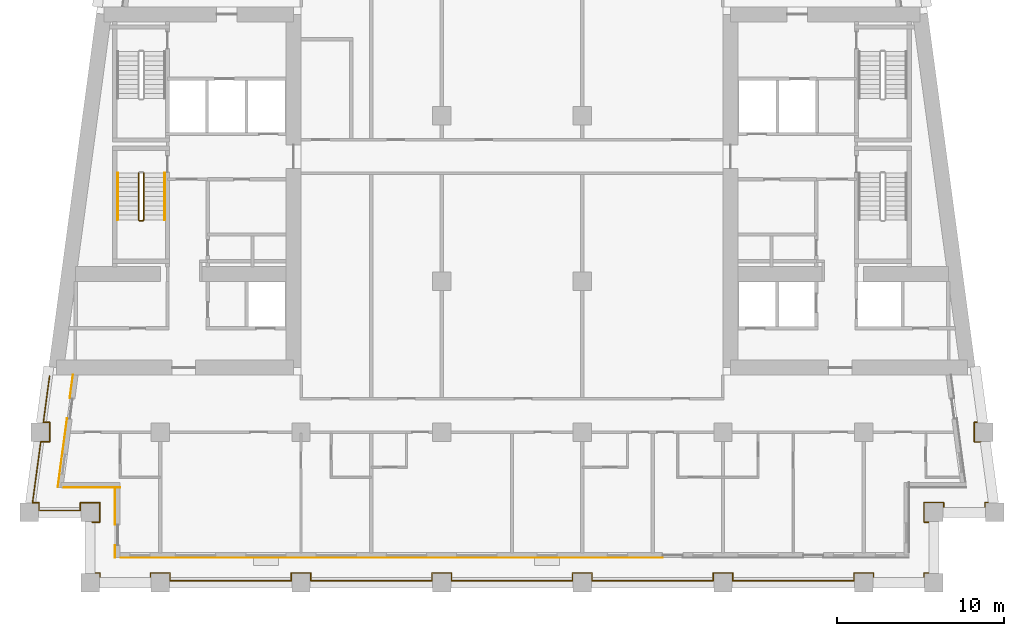
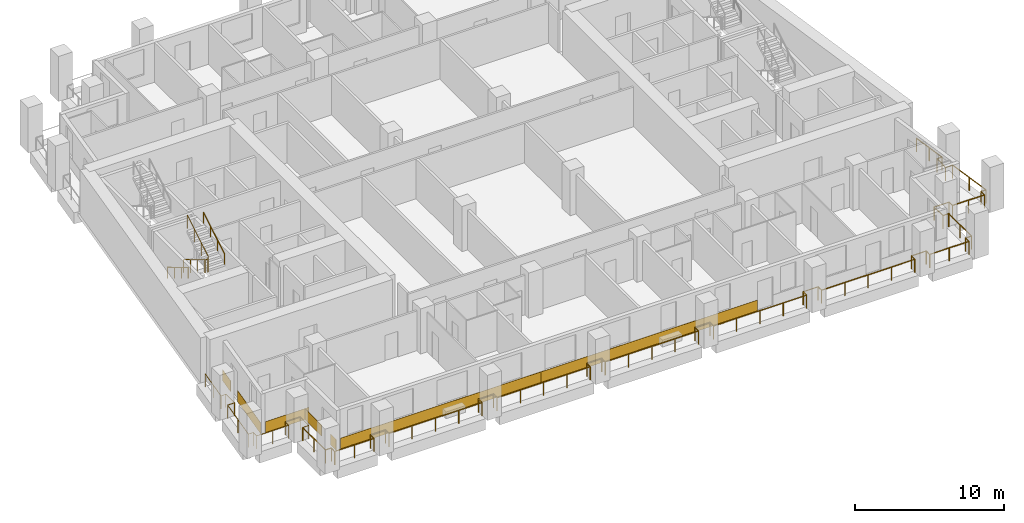
# One storey, part 9 of 13: 7 coverings, 5 railings.
"""IFC4 building model written with IfcOpenShell, lengths in metres."""

from ifc_helpers import new_model, si_unit, direction, frame, origin, origin_2d, place, context, subcontext, project, spatial, rectangle, circle, extrude, material, layer, layer_set, type_object, element, save


model = new_model("IFC4")

# Units and contexts
model_context = context("Model", 3, precision=1e-05, world=origin(), true_north=direction((0.0, 1.0)))
body_context = subcontext(model_context, "Body", "Model", "MODEL_VIEW")
ifc_project = project(units=[si_unit("LENGTHUNIT", "METRE"), si_unit("AREAUNIT", "SQUARE_METRE"), si_unit("VOLUMEUNIT", "CUBIC_METRE"), si_unit("PLANEANGLEUNIT", "RADIAN"), si_unit("MASSUNIT", "GRAM", prefix="KILO")], contexts=[model_context])

# Site, building, storey
site_placement = place(None, origin())
site = spatial("IfcSite", under=ifc_project, at=site_placement, CompositionType="ELEMENT")
building_placement = place(site_placement, origin())
building = spatial("IfcBuilding", under=site, at=building_placement, Name="Candeia Pilgrim Tower and Theatre", CompositionType="ELEMENT")
storey_placement = place(building_placement, frame((0.0, 0.0, 188.5)))
storey = spatial("IfcBuildingStorey", under=building, at=storey_placement, Name="L45", CompositionType="ELEMENT", Elevation=188.5)

# Railings
ifc_material_1 = material(Name="Stainless steel balustrade", Category="steel")
railing_type_1 = type_object("IfcRailingType", Name="G1 loggia guard 1100", PredefinedType="GUARDRAIL", material=ifc_material_1)
railing_1_placement = place(storey_placement, frame((88.320068359375, 101.6201171875, 0.0)))
element("IfcRailing", 1, at=railing_1_placement, inside=storey, type_object=railing_type_1, Name="Guard L45.1", PredefinedType="GUARDRAIL", context=body_context, shape_type="SweptSolid", body=[
    extrude(circle(Radius=0.02392578125, at=origin_2d()), frame((0.0, 0.0, 1.076171875), z_axis=(1.0, 0.0, 0.0), x_axis=(0.0, 1.0, 0.0)), (0.0, 0.0, 1.0), 0.4599609375),
    extrude(circle(Radius=0.02392578125, at=origin_2d()), frame((0.4599609375, 0.0, 1.076171875), z_axis=(0.0, 1.0, 0.0), x_axis=(-1.0, 0.0, 0.0)), (0.0, 0.0, 1.0), 1.159912109375),
    extrude(circle(Radius=0.02392578125, at=origin_2d()), frame((0.4599609375, 1.159912109375, 1.076171875), z_axis=(-1.0, 0.0, 0.0), x_axis=(0.0, -1.0, 0.0)), (0.0, 0.0, 1.0), 1.159912109375),
    extrude(circle(Radius=0.02392578125, at=origin_2d()), frame((-0.699951171875, 1.159912109375, 1.076171875), z_axis=(0.0, -1.0, 0.0), x_axis=(1.0, 0.0, 0.0)), (0.0, 0.0, 1.0), 0.4599609375),
    extrude(circle(Radius=0.02392578125, at=origin_2d()), frame((-0.699951171875, 0.699951171875, 1.076171875), z_axis=(-1.0, 0.0, 0.0), x_axis=(0.0, -1.0, 0.0)), (0.0, 0.0, 1.0), 2.474853515625),
    extrude(circle(Radius=0.02392578125, at=origin_2d()), frame((-3.1748046875, 0.699951171875, 1.076171875), z_axis=(0.0, 1.0, 0.0), x_axis=(-1.0, 0.0, 0.0)), (0.0, 0.0, 1.0), 0.4599609375),
    extrude(circle(Radius=0.02392578125, at=origin_2d()), frame((-3.1748046875, 1.159912109375, 1.076171875), z_axis=(-1.0, 0.0, 0.0), x_axis=(0.0, -1.0, 0.0)), (0.0, 0.0, 1.0), 0.380615234375),
    extrude(circle(Radius=0.02392578125, at=origin_2d()), frame((-3.555419921875, 1.159912109375, 1.076171875), z_axis=(0.133413267734, 0.9910604926, 0.0), x_axis=(-0.9910604926, 0.133413267734, 0.0)), (0.0, 0.0, 1.0), 3.672607421875),
    extrude(circle(Radius=0.02392578125, at=origin_2d()), frame((-3.0654296875, 4.7998046875, 1.076171875), z_axis=(1.0, 0.0, 0.0), x_axis=(0.0, 1.0, 0.0)), (0.0, 0.0, 1.0), 0.536865234375),
    extrude(circle(Radius=0.02392578125, at=origin_2d()), frame((-2.528564453125, 4.7998046875, 1.076171875), z_axis=(0.0, 1.0, 0.0), x_axis=(-1.0, 0.0, 0.0)), (0.0, 0.0, 1.0), 1.16015625),
    extrude(circle(Radius=0.02392578125, at=origin_2d()), frame((-2.528564453125, 5.9599609375, 1.076171875), z_axis=(-1.0, 0.0, 0.0), x_axis=(0.0, -1.0, 0.0)), (0.0, 0.0, 1.0), 0.380859375),
    extrude(circle(Radius=0.02392578125, at=origin_2d()), frame((-2.909423828125, 5.9599609375, 1.076171875), z_axis=(0.133468107709, 0.99105310868, 0.0), x_axis=(-0.99105310868, 0.133468107709, 0.0)), (0.0, 0.0, 1.0), 2.794921875),
    extrude(circle(Radius=0.02099609375, at=origin_2d()), origin(), (0.0, 0.0, 1.0), 1.052001953125),
    extrude(circle(Radius=0.02099609375, at=origin_2d()), frame((0.4599609375, 0.0, 0.0)), (0.0, 0.0, 1.0), 1.052001953125),
    extrude(circle(Radius=0.02099609375, at=origin_2d()), frame((0.4599609375, 1.159912109375, 0.0)), (0.0, 0.0, 1.0), 1.052001953125),
    extrude(circle(Radius=0.02099609375, at=origin_2d()), frame((-0.699951171875, 1.159912109375, 0.0)), (0.0, 0.0, 1.0), 1.052001953125),
    extrude(circle(Radius=0.02099609375, at=origin_2d()), frame((-0.699951171875, 0.699951171875, 0.0)), (0.0, 0.0, 1.0), 1.052001953125),
    extrude(circle(Radius=0.02099609375, at=origin_2d()), frame((-1.9375, 0.699951171875, 0.0)), (0.0, 0.0, 1.0), 1.052001953125),
    extrude(circle(Radius=0.02099609375, at=origin_2d()), frame((-3.1748046875, 0.699951171875, 0.0)), (0.0, 0.0, 1.0), 1.052001953125),
    extrude(circle(Radius=0.02099609375, at=origin_2d()), frame((-3.1748046875, 1.159912109375, 0.0)), (0.0, 0.0, 1.0), 1.052001953125),
    extrude(circle(Radius=0.02099609375, at=origin_2d()), frame((-3.555419921875, 1.159912109375, 0.0)), (0.0, 0.0, 1.0), 1.052001953125),
    extrude(circle(Radius=0.02099609375, at=origin_2d()), frame((-3.310546875, 2.97998046875, 0.0)), (0.0, 0.0, 1.0), 1.052001953125),
    extrude(circle(Radius=0.02099609375, at=origin_2d()), frame((-3.0654296875, 4.7998046875, 0.0)), (0.0, 0.0, 1.0), 1.052001953125),
    extrude(circle(Radius=0.02099609375, at=origin_2d()), frame((-2.528564453125, 4.7998046875, 0.0)), (0.0, 0.0, 1.0), 1.052001953125),
    extrude(circle(Radius=0.02099609375, at=origin_2d()), frame((-2.528564453125, 5.9599609375, 0.0)), (0.0, 0.0, 1.0), 1.052001953125),
    extrude(circle(Radius=0.02099609375, at=origin_2d()), frame((-2.909423828125, 5.9599609375, 0.0)), (0.0, 0.0, 1.0), 1.052001953125),
    extrude(circle(Radius=0.02099609375, at=origin_2d()), frame((-2.722900390625, 7.344970703125, 0.0)), (0.0, 0.0, 1.0), 1.052001953125),
    extrude(circle(Radius=0.02099609375, at=origin_2d()), frame((-2.536376953125, 8.72998046875, 0.0)), (0.0, 0.0, 1.0), 1.052001953125),
])
railing_2_placement = place(storey_placement, frame((141.016357421875, 110.35009765625, 0.0)))
element("IfcRailing", 2, at=railing_2_placement, inside=storey, type_object=railing_type_1, Name="Guard L45.4", PredefinedType="GUARDRAIL", context=body_context, shape_type="SweptSolid", body=[
    extrude(circle(Radius=0.02392578125, at=origin_2d()), frame((0.0, 0.0, 1.076171875), z_axis=(0.133468107709, -0.99105310868, 0.0), x_axis=(0.99105310868, 0.133468107709, 0.0)), (0.0, 0.0, 1.0), 2.794921875),
    extrude(circle(Radius=0.02392578125, at=origin_2d()), frame((0.373046875, -2.77001953125, 1.076171875), z_axis=(-1.0, 0.0, 0.0), x_axis=(0.0, -1.0, 0.0)), (0.0, 0.0, 1.0), 0.380859375),
    extrude(circle(Radius=0.02392578125, at=origin_2d()), frame((-0.0078125, -2.77001953125, 1.076171875), z_axis=(0.0, -1.0, 0.0), x_axis=(1.0, 0.0, 0.0)), (0.0, 0.0, 1.0), 1.16015625),
    extrude(circle(Radius=0.02392578125, at=origin_2d()), frame((-0.0078125, -3.93017578125, 1.076171875), z_axis=(1.0, 0.0, 0.0), x_axis=(0.0, 1.0, 0.0)), (0.0, 0.0, 1.0), 0.536865234375),
    extrude(circle(Radius=0.02392578125, at=origin_2d()), frame((0.529052734375, -3.93017578125, 1.076171875), z_axis=(0.133413267734, -0.9910604926, 0.0), x_axis=(0.9910604926, 0.133413267734, 0.0)), (0.0, 0.0, 1.0), 3.672607421875),
    extrude(circle(Radius=0.02392578125, at=origin_2d()), frame((1.01904296875, -7.570068359375, 1.076171875), z_axis=(-1.0, 0.0, 0.0), x_axis=(0.0, -1.0, 0.0)), (0.0, 0.0, 1.0), 0.380859375),
    extrude(circle(Radius=0.02392578125, at=origin_2d()), frame((0.63818359375, -7.570068359375, 1.076171875), z_axis=(0.0, -1.0, 0.0), x_axis=(1.0, 0.0, 0.0)), (0.0, 0.0, 1.0), 0.4599609375),
    extrude(circle(Radius=0.02392578125, at=origin_2d()), frame((0.63818359375, -8.030029296875, 1.076171875), z_axis=(-1.0, 0.0, 0.0), x_axis=(0.0, -1.0, 0.0)), (0.0, 0.0, 1.0), 2.474609375),
    extrude(circle(Radius=0.02392578125, at=origin_2d()), frame((-1.83642578125, -8.030029296875, 1.076171875), z_axis=(0.0, 1.0, 0.0), x_axis=(-1.0, 0.0, 0.0)), (0.0, 0.0, 1.0), 0.4599609375),
    extrude(circle(Radius=0.02392578125, at=origin_2d()), frame((-1.83642578125, -7.570068359375, 1.076171875), z_axis=(-1.0, 0.0, 0.0), x_axis=(0.0, -1.0, 0.0)), (0.0, 0.0, 1.0), 1.159912109375),
    extrude(circle(Radius=0.02392578125, at=origin_2d()), frame((-2.996337890625, -7.570068359375, 1.076171875), z_axis=(0.0, -1.0, 0.0), x_axis=(1.0, 0.0, 0.0)), (0.0, 0.0, 1.0), 1.159912109375),
    extrude(circle(Radius=0.02392578125, at=origin_2d()), frame((-2.996337890625, -8.72998046875, 1.076171875), z_axis=(1.0, 0.0, 0.0), x_axis=(0.0, 1.0, 0.0)), (0.0, 0.0, 1.0), 0.4599609375),
    extrude(circle(Radius=0.02392578125, at=origin_2d()), frame((-2.536376953125, -8.72998046875, 1.076171875), z_axis=(0.0, -1.0, 0.0), x_axis=(1.0, 0.0, 0.0)), (0.0, 0.0, 1.0), 3.0400390625),
    extrude(circle(Radius=0.02392578125, at=origin_2d()), frame((-2.536376953125, -11.77001953125, 1.076171875), z_axis=(-1.0, 0.0, 0.0), x_axis=(0.0, -1.0, 0.0)), (0.0, 0.0, 1.0), 0.4599609375),
    extrude(circle(Radius=0.02392578125, at=origin_2d()), frame((-2.996337890625, -11.77001953125, 1.076171875), z_axis=(0.0, -1.0, 0.0), x_axis=(1.0, 0.0, 0.0)), (0.0, 0.0, 1.0), 0.4599609375),
    extrude(circle(Radius=0.02392578125, at=origin_2d()), frame((-2.996337890625, -12.22998046875, 1.076171875), z_axis=(-1.0, 0.0, 0.0), x_axis=(0.0, -1.0, 0.0)), (0.0, 0.0, 1.0), 3.0400390625),
    extrude(circle(Radius=0.02392578125, at=origin_2d()), frame((-6.036376953125, -12.22998046875, 1.076171875), z_axis=(0.0, 1.0, 0.0), x_axis=(-1.0, 0.0, 0.0)), (0.0, 0.0, 1.0), 0.4599609375),
    extrude(circle(Radius=0.02392578125, at=origin_2d()), frame((-6.036376953125, -11.77001953125, 1.076171875), z_axis=(-1.0, 0.0, 0.0), x_axis=(0.0, -1.0, 0.0)), (0.0, 0.0, 1.0), 1.159912109375),
    extrude(circle(Radius=0.02392578125, at=origin_2d()), frame((-7.1962890625, -11.77001953125, 1.076171875), z_axis=(0.0, -1.0, 0.0), x_axis=(1.0, 0.0, 0.0)), (0.0, 0.0, 1.0), 0.4599609375),
    extrude(circle(Radius=0.02392578125, at=origin_2d()), frame((-7.1962890625, -12.22998046875, 1.076171875), z_axis=(-1.0, 0.0, 0.0), x_axis=(0.0, -1.0, 0.0)), (0.0, 0.0, 1.0), 7.239990234375),
    extrude(circle(Radius=0.02392578125, at=origin_2d()), frame((-14.436279296875, -12.22998046875, 1.076171875), z_axis=(0.0, 1.0, 0.0), x_axis=(-1.0, 0.0, 0.0)), (0.0, 0.0, 1.0), 0.4599609375),
    extrude(circle(Radius=0.02392578125, at=origin_2d()), frame((-14.436279296875, -11.77001953125, 1.076171875), z_axis=(-1.0, 0.0, 0.0), x_axis=(0.0, -1.0, 0.0)), (0.0, 0.0, 1.0), 1.16015625),
    extrude(circle(Radius=0.02392578125, at=origin_2d()), frame((-15.596435546875, -11.77001953125, 1.076171875), z_axis=(0.0, -1.0, 0.0), x_axis=(1.0, 0.0, 0.0)), (0.0, 0.0, 1.0), 0.4599609375),
    extrude(circle(Radius=0.02392578125, at=origin_2d()), frame((-15.596435546875, -12.22998046875, 1.076171875), z_axis=(-1.0, 0.0, 0.0), x_axis=(0.0, -1.0, 0.0)), (0.0, 0.0, 1.0), 7.239990234375),
    extrude(circle(Radius=0.02392578125, at=origin_2d()), frame((-22.83642578125, -12.22998046875, 1.076171875), z_axis=(0.0, 1.0, 0.0), x_axis=(-1.0, 0.0, 0.0)), (0.0, 0.0, 1.0), 0.4599609375),
    extrude(circle(Radius=0.02392578125, at=origin_2d()), frame((-22.83642578125, -11.77001953125, 1.076171875), z_axis=(-1.0, 0.0, 0.0), x_axis=(0.0, -1.0, 0.0)), (0.0, 0.0, 1.0), 1.159912109375),
    extrude(circle(Radius=0.02392578125, at=origin_2d()), frame((-23.996337890625, -11.77001953125, 1.076171875), z_axis=(0.0, -1.0, 0.0), x_axis=(1.0, 0.0, 0.0)), (0.0, 0.0, 1.0), 0.4599609375),
    extrude(circle(Radius=0.02392578125, at=origin_2d()), frame((-23.996337890625, -12.22998046875, 1.076171875), z_axis=(-1.0, 0.0, 0.0), x_axis=(0.0, -1.0, 0.0)), (0.0, 0.0, 1.0), 7.239990234375),
    extrude(circle(Radius=0.02392578125, at=origin_2d()), frame((-31.236328125, -12.22998046875, 1.076171875), z_axis=(0.0, 1.0, 0.0), x_axis=(-1.0, 0.0, 0.0)), (0.0, 0.0, 1.0), 0.4599609375),
    extrude(circle(Radius=0.02392578125, at=origin_2d()), frame((-31.236328125, -11.77001953125, 1.076171875), z_axis=(-1.0, 0.0, 0.0), x_axis=(0.0, -1.0, 0.0)), (0.0, 0.0, 1.0), 1.159912109375),
    extrude(circle(Radius=0.02392578125, at=origin_2d()), frame((-32.396240234375, -11.77001953125, 1.076171875), z_axis=(0.0, -1.0, 0.0), x_axis=(1.0, 0.0, 0.0)), (0.0, 0.0, 1.0), 0.4599609375),
    extrude(circle(Radius=0.02392578125, at=origin_2d()), frame((-32.396240234375, -12.22998046875, 1.076171875), z_axis=(-1.0, 0.0, 0.0), x_axis=(0.0, -1.0, 0.0)), (0.0, 0.0, 1.0), 7.240234375),
    extrude(circle(Radius=0.02392578125, at=origin_2d()), frame((-39.636474609375, -12.22998046875, 1.076171875), z_axis=(0.0, 1.0, 0.0), x_axis=(-1.0, 0.0, 0.0)), (0.0, 0.0, 1.0), 0.4599609375),
    extrude(circle(Radius=0.02392578125, at=origin_2d()), frame((-39.636474609375, -11.77001953125, 1.076171875), z_axis=(-1.0, 0.0, 0.0), x_axis=(0.0, -1.0, 0.0)), (0.0, 0.0, 1.0), 1.159912109375),
    extrude(circle(Radius=0.02392578125, at=origin_2d()), frame((-40.79638671875, -11.77001953125, 1.076171875), z_axis=(0.0, -1.0, 0.0), x_axis=(1.0, 0.0, 0.0)), (0.0, 0.0, 1.0), 0.4599609375),
    extrude(circle(Radius=0.02392578125, at=origin_2d()), frame((-40.79638671875, -12.22998046875, 1.076171875), z_axis=(-1.0, 0.0, 0.0), x_axis=(0.0, -1.0, 0.0)), (0.0, 0.0, 1.0), 7.239990234375),
    extrude(circle(Radius=0.02392578125, at=origin_2d()), frame((-48.036376953125, -12.22998046875, 1.076171875), z_axis=(0.0, 1.0, 0.0), x_axis=(-1.0, 0.0, 0.0)), (0.0, 0.0, 1.0), 0.4599609375),
    extrude(circle(Radius=0.02392578125, at=origin_2d()), frame((-48.036376953125, -11.77001953125, 1.076171875), z_axis=(-1.0, 0.0, 0.0), x_axis=(0.0, -1.0, 0.0)), (0.0, 0.0, 1.0), 1.159912109375),
    extrude(circle(Radius=0.02392578125, at=origin_2d()), frame((-49.1962890625, -11.77001953125, 1.076171875), z_axis=(0.0, -1.0, 0.0), x_axis=(1.0, 0.0, 0.0)), (0.0, 0.0, 1.0), 0.4599609375),
    extrude(circle(Radius=0.02392578125, at=origin_2d()), frame((-49.1962890625, -12.22998046875, 1.076171875), z_axis=(-1.0, 0.0, 0.0), x_axis=(0.0, -1.0, 0.0)), (0.0, 0.0, 1.0), 3.0400390625),
    extrude(circle(Radius=0.02392578125, at=origin_2d()), frame((-52.236328125, -12.22998046875, 1.076171875), z_axis=(0.0, 1.0, 0.0), x_axis=(-1.0, 0.0, 0.0)), (0.0, 0.0, 1.0), 0.4599609375),
    extrude(circle(Radius=0.02392578125, at=origin_2d()), frame((-52.236328125, -11.77001953125, 1.076171875), z_axis=(-1.0, 0.0, 0.0), x_axis=(0.0, -1.0, 0.0)), (0.0, 0.0, 1.0), 0.4599609375),
    extrude(circle(Radius=0.02392578125, at=origin_2d()), frame((-52.6962890625, -11.77001953125, 1.076171875), z_axis=(0.0, 1.0, 0.0), x_axis=(-1.0, 0.0, 0.0)), (0.0, 0.0, 1.0), 3.0400390625),
    extrude(circle(Radius=0.02099609375, at=origin_2d()), origin(), (0.0, 0.0, 1.0), 1.052001953125),
    extrude(circle(Radius=0.02099609375, at=origin_2d()), frame((0.1865234375, -1.385009765625, 0.0)), (0.0, 0.0, 1.0), 1.052001953125),
    extrude(circle(Radius=0.02099609375, at=origin_2d()), frame((0.373046875, -2.77001953125, 0.0)), (0.0, 0.0, 1.0), 1.052001953125),
    extrude(circle(Radius=0.02099609375, at=origin_2d()), frame((-0.0078125, -2.77001953125, 0.0)), (0.0, 0.0, 1.0), 1.052001953125),
    extrude(circle(Radius=0.02099609375, at=origin_2d()), frame((-0.0078125, -3.93017578125, 0.0)), (0.0, 0.0, 1.0), 1.052001953125),
    extrude(circle(Radius=0.02099609375, at=origin_2d()), frame((0.529052734375, -3.93017578125, 0.0)), (0.0, 0.0, 1.0), 1.052001953125),
    extrude(circle(Radius=0.02099609375, at=origin_2d()), frame((0.77392578125, -5.75, 0.0)), (0.0, 0.0, 1.0), 1.052001953125),
    extrude(circle(Radius=0.02099609375, at=origin_2d()), frame((1.01904296875, -7.570068359375, 0.0)), (0.0, 0.0, 1.0), 1.052001953125),
    extrude(circle(Radius=0.02099609375, at=origin_2d()), frame((0.63818359375, -7.570068359375, 0.0)), (0.0, 0.0, 1.0), 1.052001953125),
    extrude(circle(Radius=0.02099609375, at=origin_2d()), frame((0.63818359375, -8.030029296875, 0.0)), (0.0, 0.0, 1.0), 1.052001953125),
    extrude(circle(Radius=0.02099609375, at=origin_2d()), frame((-0.59912109375, -8.030029296875, 0.0)), (0.0, 0.0, 1.0), 1.052001953125),
    extrude(circle(Radius=0.02099609375, at=origin_2d()), frame((-1.83642578125, -8.030029296875, 0.0)), (0.0, 0.0, 1.0), 1.052001953125),
    extrude(circle(Radius=0.02099609375, at=origin_2d()), frame((-1.83642578125, -7.570068359375, 0.0)), (0.0, 0.0, 1.0), 1.052001953125),
    extrude(circle(Radius=0.02099609375, at=origin_2d()), frame((-2.996337890625, -7.570068359375, 0.0)), (0.0, 0.0, 1.0), 1.052001953125),
    extrude(circle(Radius=0.02099609375, at=origin_2d()), frame((-2.996337890625, -8.72998046875, 0.0)), (0.0, 0.0, 1.0), 1.052001953125),
    extrude(circle(Radius=0.02099609375, at=origin_2d()), frame((-2.536376953125, -8.72998046875, 0.0)), (0.0, 0.0, 1.0), 1.052001953125),
    extrude(circle(Radius=0.02099609375, at=origin_2d()), frame((-2.536376953125, -10.25, 0.0)), (0.0, 0.0, 1.0), 1.052001953125),
    extrude(circle(Radius=0.02099609375, at=origin_2d()), frame((-2.536376953125, -11.77001953125, 0.0)), (0.0, 0.0, 1.0), 1.052001953125),
    extrude(circle(Radius=0.02099609375, at=origin_2d()), frame((-2.996337890625, -11.77001953125, 0.0)), (0.0, 0.0, 1.0), 1.052001953125),
    extrude(circle(Radius=0.02099609375, at=origin_2d()), frame((-2.996337890625, -12.22998046875, 0.0)), (0.0, 0.0, 1.0), 1.052001953125),
    extrude(circle(Radius=0.02099609375, at=origin_2d()), frame((-4.516357421875, -12.22998046875, 0.0)), (0.0, 0.0, 1.0), 1.052001953125),
    extrude(circle(Radius=0.02099609375, at=origin_2d()), frame((-6.036376953125, -12.22998046875, 0.0)), (0.0, 0.0, 1.0), 1.052001953125),
    extrude(circle(Radius=0.02099609375, at=origin_2d()), frame((-6.036376953125, -11.77001953125, 0.0)), (0.0, 0.0, 1.0), 1.052001953125),
    extrude(circle(Radius=0.02099609375, at=origin_2d()), frame((-7.1962890625, -11.77001953125, 0.0)), (0.0, 0.0, 1.0), 1.052001953125),
    extrude(circle(Radius=0.02099609375, at=origin_2d()), frame((-7.1962890625, -12.22998046875, 0.0)), (0.0, 0.0, 1.0), 1.052001953125),
    extrude(circle(Radius=0.02099609375, at=origin_2d()), frame((-9.00634765625, -12.22998046875, 0.0)), (0.0, 0.0, 1.0), 1.052001953125),
    extrude(circle(Radius=0.02099609375, at=origin_2d()), frame((-10.81640625, -12.22998046875, 0.0)), (0.0, 0.0, 1.0), 1.052001953125),
    extrude(circle(Radius=0.02099609375, at=origin_2d()), frame((-12.626220703125, -12.22998046875, 0.0)), (0.0, 0.0, 1.0), 1.052001953125),
    extrude(circle(Radius=0.02099609375, at=origin_2d()), frame((-14.436279296875, -12.22998046875, 0.0)), (0.0, 0.0, 1.0), 1.052001953125),
    extrude(circle(Radius=0.02099609375, at=origin_2d()), frame((-14.436279296875, -11.77001953125, 0.0)), (0.0, 0.0, 1.0), 1.052001953125),
    extrude(circle(Radius=0.02099609375, at=origin_2d()), frame((-15.596435546875, -11.77001953125, 0.0)), (0.0, 0.0, 1.0), 1.052001953125),
    extrude(circle(Radius=0.02099609375, at=origin_2d()), frame((-15.596435546875, -12.22998046875, 0.0)), (0.0, 0.0, 1.0), 1.052001953125),
    extrude(circle(Radius=0.02099609375, at=origin_2d()), frame((-17.406494140625, -12.22998046875, 0.0)), (0.0, 0.0, 1.0), 1.052001953125),
    extrude(circle(Radius=0.02099609375, at=origin_2d()), frame((-19.21630859375, -12.22998046875, 0.0)), (0.0, 0.0, 1.0), 1.052001953125),
    extrude(circle(Radius=0.02099609375, at=origin_2d()), frame((-21.0263671875, -12.22998046875, 0.0)), (0.0, 0.0, 1.0), 1.052001953125),
    extrude(circle(Radius=0.02099609375, at=origin_2d()), frame((-22.83642578125, -12.22998046875, 0.0)), (0.0, 0.0, 1.0), 1.052001953125),
    extrude(circle(Radius=0.02099609375, at=origin_2d()), frame((-22.83642578125, -11.77001953125, 0.0)), (0.0, 0.0, 1.0), 1.052001953125),
    extrude(circle(Radius=0.02099609375, at=origin_2d()), frame((-23.996337890625, -11.77001953125, 0.0)), (0.0, 0.0, 1.0), 1.052001953125),
    extrude(circle(Radius=0.02099609375, at=origin_2d()), frame((-23.996337890625, -12.22998046875, 0.0)), (0.0, 0.0, 1.0), 1.052001953125),
    extrude(circle(Radius=0.02099609375, at=origin_2d()), frame((-25.806396484375, -12.22998046875, 0.0)), (0.0, 0.0, 1.0), 1.052001953125),
    extrude(circle(Radius=0.02099609375, at=origin_2d()), frame((-27.6162109375, -12.22998046875, 0.0)), (0.0, 0.0, 1.0), 1.052001953125),
    extrude(circle(Radius=0.02099609375, at=origin_2d()), frame((-29.42626953125, -12.22998046875, 0.0)), (0.0, 0.0, 1.0), 1.052001953125),
    extrude(circle(Radius=0.02099609375, at=origin_2d()), frame((-31.236328125, -12.22998046875, 0.0)), (0.0, 0.0, 1.0), 1.052001953125),
    extrude(circle(Radius=0.02099609375, at=origin_2d()), frame((-31.236328125, -11.77001953125, 0.0)), (0.0, 0.0, 1.0), 1.052001953125),
    extrude(circle(Radius=0.02099609375, at=origin_2d()), frame((-32.396240234375, -11.77001953125, 0.0)), (0.0, 0.0, 1.0), 1.052001953125),
    extrude(circle(Radius=0.02099609375, at=origin_2d()), frame((-32.396240234375, -12.22998046875, 0.0)), (0.0, 0.0, 1.0), 1.052001953125),
    extrude(circle(Radius=0.02099609375, at=origin_2d()), frame((-34.206298828125, -12.22998046875, 0.0)), (0.0, 0.0, 1.0), 1.052001953125),
    extrude(circle(Radius=0.02099609375, at=origin_2d()), frame((-36.016357421875, -12.22998046875, 0.0)), (0.0, 0.0, 1.0), 1.052001953125),
    extrude(circle(Radius=0.02099609375, at=origin_2d()), frame((-37.826416015625, -12.22998046875, 0.0)), (0.0, 0.0, 1.0), 1.052001953125),
    extrude(circle(Radius=0.02099609375, at=origin_2d()), frame((-39.636474609375, -12.22998046875, 0.0)), (0.0, 0.0, 1.0), 1.052001953125),
    extrude(circle(Radius=0.02099609375, at=origin_2d()), frame((-39.636474609375, -11.77001953125, 0.0)), (0.0, 0.0, 1.0), 1.052001953125),
    extrude(circle(Radius=0.02099609375, at=origin_2d()), frame((-40.79638671875, -11.77001953125, 0.0)), (0.0, 0.0, 1.0), 1.052001953125),
    extrude(circle(Radius=0.02099609375, at=origin_2d()), frame((-40.79638671875, -12.22998046875, 0.0)), (0.0, 0.0, 1.0), 1.052001953125),
    extrude(circle(Radius=0.02099609375, at=origin_2d()), frame((-42.6064453125, -12.22998046875, 0.0)), (0.0, 0.0, 1.0), 1.052001953125),
    extrude(circle(Radius=0.02099609375, at=origin_2d()), frame((-44.41650390625, -12.22998046875, 0.0)), (0.0, 0.0, 1.0), 1.052001953125),
    extrude(circle(Radius=0.02099609375, at=origin_2d()), frame((-46.226318359375, -12.22998046875, 0.0)), (0.0, 0.0, 1.0), 1.052001953125),
    extrude(circle(Radius=0.02099609375, at=origin_2d()), frame((-48.036376953125, -12.22998046875, 0.0)), (0.0, 0.0, 1.0), 1.052001953125),
    extrude(circle(Radius=0.02099609375, at=origin_2d()), frame((-48.036376953125, -11.77001953125, 0.0)), (0.0, 0.0, 1.0), 1.052001953125),
    extrude(circle(Radius=0.02099609375, at=origin_2d()), frame((-49.1962890625, -11.77001953125, 0.0)), (0.0, 0.0, 1.0), 1.052001953125),
    extrude(circle(Radius=0.02099609375, at=origin_2d()), frame((-49.1962890625, -12.22998046875, 0.0)), (0.0, 0.0, 1.0), 1.052001953125),
    extrude(circle(Radius=0.02099609375, at=origin_2d()), frame((-50.71630859375, -12.22998046875, 0.0)), (0.0, 0.0, 1.0), 1.052001953125),
    extrude(circle(Radius=0.02099609375, at=origin_2d()), frame((-52.236328125, -12.22998046875, 0.0)), (0.0, 0.0, 1.0), 1.052001953125),
    extrude(circle(Radius=0.02099609375, at=origin_2d()), frame((-52.236328125, -11.77001953125, 0.0)), (0.0, 0.0, 1.0), 1.052001953125),
    extrude(circle(Radius=0.02099609375, at=origin_2d()), frame((-52.6962890625, -11.77001953125, 0.0)), (0.0, 0.0, 1.0), 1.052001953125),
    extrude(circle(Radius=0.02099609375, at=origin_2d()), frame((-52.6962890625, -10.25, 0.0)), (0.0, 0.0, 1.0), 1.052001953125),
    extrude(circle(Radius=0.02099609375, at=origin_2d()), frame((-52.6962890625, -8.72998046875, 0.0)), (0.0, 0.0, 1.0), 1.052001953125),
])

# Coverings
ifc_material_2 = material(Name="Glazed ceramic tile red")
ifc_layer_1 = layer(ifc_material_2, 0.02001953125)
ifc_layer_set_1 = layer_set([ifc_layer_1], Name="Glazed ceramic tile red")
covering_type_1 = type_object("IfcCoveringType", Name="Glazed ceramic tile red", PredefinedType="CLADDING", material=ifc_layer_set_1)
covering_1_placement = place(storey_placement, frame((114.0, 99.489990234375, 0.0), z_axis=(0.0, 0.0, 1.0), x_axis=(1.0, 0.0, 0.0)))
element("IfcCovering", 3, at=covering_1_placement, inside=storey, type_object=covering_type_1, Name="Tile cladding red L45", PredefinedType="CLADDING", context=body_context, shape_type="SweptSolid", body=[
    extrude(rectangle(XDim=16.800048828125, YDim=0.02001953125, at=origin_2d()), origin(), (0.0, 0.0, 1.0), 0.89990234375),
])
ifc_material_3 = material(Name="Glazed ceramic tile rust")
ifc_layer_2 = layer(ifc_material_3, 0.02001953125)
ifc_layer_set_2 = layer_set([ifc_layer_2], Name="Glazed ceramic tile rust")
covering_type_2 = type_object("IfcCoveringType", Name="Glazed ceramic tile rust", PredefinedType="CLADDING", material=ifc_layer_set_2)
covering_2_placement = place(storey_placement, frame((97.81005859375, 99.489990234375, 0.0), z_axis=(0.0, 0.0, 1.0), x_axis=(1.0, 0.0, 0.0)))
element("IfcCovering", 4, at=covering_2_placement, inside=storey, type_object=covering_type_2, Name="Tile cladding rust L45", PredefinedType="CLADDING", context=body_context, shape_type="SweptSolid", body=[
    extrude(rectangle(XDim=15.580078125, YDim=0.02001953125, at=origin_2d()), origin(), (0.0, 0.0, 1.0), 0.89990234375),
])
covering_3_placement = place(storey_placement, frame((87.0810546875, 109.71875, 0.0), z_axis=(0.0, 0.0, 1.0), x_axis=(-0.133412012145, -0.991060661622, 0.0)))
element("IfcCovering", 5, at=covering_3_placement, inside=storey, type_object=covering_type_2, Name="Tile cladding rust L45", PredefinedType="CLADDING", context=body_context, shape_type="SweptSolid", body=[
    extrude(rectangle(XDim=1.41796875, YDim=0.02001953125, at=origin_2d()), origin(), (0.0, 0.0, 1.0), 0.89990234375),
])
covering_4_placement = place(storey_placement, frame((86.548583984375, 105.763916015625, 0.0), z_axis=(0.0, 0.0, 1.0), x_axis=(-0.133412012145, -0.991060661622, 0.0)))
element("IfcCovering", 6, at=covering_4_placement, inside=storey, type_object=covering_type_2, Name="Tile cladding rust L45", PredefinedType="CLADDING", context=body_context, shape_type="SweptSolid", body=[
    extrude(rectangle(XDim=4.16259765625, YDim=0.02001953125, at=origin_2d()), origin(), (0.0, 0.0, 1.0), 0.89990234375),
])
covering_5_placement = place(storey_placement, frame((88.311279296875, 103.68994140625, 0.0), z_axis=(0.0, 0.0, 1.0), x_axis=(1.0, 0.0, 0.0)))
element("IfcCovering", 7, at=covering_5_placement, inside=storey, type_object=covering_type_2, Name="Tile cladding rust L45", PredefinedType="CLADDING", context=body_context, shape_type="SweptSolid", body=[
    extrude(rectangle(XDim=3.377685546875, YDim=0.02001953125, at=origin_2d()), origin(), (0.0, 0.0, 1.0), 0.89990234375),
])
covering_6_placement = place(storey_placement, frame((89.68994140625, 102.56494140625, 0.0), z_axis=(0.0, 0.0, 1.0), x_axis=(0.0, -1.0, 0.0)))
element("IfcCovering", 8, at=covering_6_placement, inside=storey, type_object=covering_type_2, Name="Tile cladding rust L45", PredefinedType="CLADDING", context=body_context, shape_type="SweptSolid", body=[
    extrude(rectangle(XDim=2.22998046875, YDim=0.02001953125, at=origin_2d()), origin(), (0.0, 0.0, 1.0), 0.89990234375),
])
covering_7_placement = place(storey_placement, frame((89.68994140625, 99.875, 0.0), z_axis=(0.0, 0.0, 1.0), x_axis=(0.0, -1.0, 0.0)))
element("IfcCovering", 9, at=covering_7_placement, inside=storey, type_object=covering_type_2, Name="Tile cladding rust L45", PredefinedType="CLADDING", context=body_context, shape_type="SweptSolid", body=[
    extrude(rectangle(XDim=0.75, YDim=0.02001953125, at=origin_2d()), origin(), (0.0, 0.0, 1.0), 0.89990234375),
])

# Railings
railing_type_2 = type_object("IfcRailingType", Name="RL-GUARD-1100", PredefinedType="GUARDRAIL", material=ifc_material_1)
railing_3_placement = place(storey_placement, frame((91.10205078125, 122.47509765625, 0.168212890625)))
element("IfcRailing", 10, at=railing_3_placement, inside=storey, type_object=railing_type_2, Name="L45 ST1 stair guard 1", PredefinedType="GUARDRAIL", context=body_context, shape_type="SweptSolid", body=[
    extrude(circle(Radius=0.02392578125, at=origin_2d()), frame((0.0, 0.0, 1.076171875), z_axis=(0.0, -0.857242210791, 0.514913383045), x_axis=(1.0, 0.0, 0.0)), (0.0, 0.0, 1.0), 3.266357421875),
    extrude(circle(Radius=0.02392578125, at=origin_2d()), frame((0.0, -2.800048828125, 2.7578125), z_axis=(0.707106781187, -0.707106781187, 0.0), x_axis=(0.707106781187, 0.707106781187, 0.0)), (0.0, 0.0, 1.0), 0.07080078125),
    extrude(circle(Radius=0.02392578125, at=origin_2d()), frame((0.050048828125, -2.85009765625, 2.7578125), z_axis=(1.0, 0.0, 0.0), x_axis=(0.0, 1.0, 0.0)), (0.0, 0.0, 1.0), 0.199951171875),
    extrude(circle(Radius=0.02392578125, at=origin_2d()), frame((0.25, -2.85009765625, 2.7578125), z_axis=(0.274582412415, 0.274582412415, 0.921525364591), x_axis=(-0.707106781187, 0.707106781187, 0.0)), (0.0, 0.0, 1.0), 0.182373046875),
    extrude(circle(Radius=0.02392578125, at=origin_2d()), frame((0.300048828125, -2.800048828125, 2.92578125), z_axis=(0.0, 0.857242210791, 0.514913383045), x_axis=(-1.0, 0.0, 0.0)), (0.0, 0.0, 1.0), 3.266357421875),
    extrude(circle(Radius=0.02099609375, at=origin_2d()), origin(), (0.0, 0.0, 1.0), 1.052001953125),
    extrude(circle(Radius=0.02099609375, at=origin_2d()), frame((0.0, -0.933349609375, 0.560546875)), (0.0, 0.0, 1.0), 1.052001953125),
    extrude(circle(Radius=0.02099609375, at=origin_2d()), frame((0.0, -1.86669921875, 1.121337890625)), (0.0, 0.0, 1.0), 1.052001953125),
    extrude(circle(Radius=0.02099609375, at=origin_2d()), frame((0.0, -2.800048828125, 1.681884765625)), (0.0, 0.0, 1.0), 1.052001953125),
    extrude(circle(Radius=0.02099609375, at=origin_2d()), frame((0.050048828125, -2.85009765625, 1.681884765625)), (0.0, 0.0, 1.0), 1.052001953125),
    extrude(circle(Radius=0.02099609375, at=origin_2d()), frame((0.25, -2.85009765625, 1.681884765625)), (0.0, 0.0, 1.0), 1.052001953125),
    extrude(circle(Radius=0.02099609375, at=origin_2d()), frame((0.300048828125, -2.800048828125, 1.849853515625)), (0.0, 0.0, 1.0), 1.052001953125),
    extrude(circle(Radius=0.02099609375, at=origin_2d()), frame((0.300048828125, -1.86669921875, 2.410400390625)), (0.0, 0.0, 1.0), 1.052001953125),
    extrude(circle(Radius=0.02099609375, at=origin_2d()), frame((0.300048828125, -0.933349609375, 2.97119140625)), (0.0, 0.0, 1.0), 1.052001953125),
    extrude(circle(Radius=0.02099609375, at=origin_2d()), frame((0.300048828125, 0.0, 3.53173828125)), (0.0, 0.0, 1.0), 1.052001953125),
])
ifc_material_4 = material(Name="Stainless steel handrail", Category="steel")
railing_type_3 = type_object("IfcRailingType", Name="RL-HANDRAIL-900", PredefinedType="HANDRAIL", material=ifc_material_4)
railing_4_placement = place(storey_placement, frame((89.85205078125, 122.47509765625, 0.168212890625)))
element("IfcRailing", 11, at=railing_4_placement, inside=storey, type_object=railing_type_3, Name="L45 ST1 stair handrail 1", PredefinedType="HANDRAIL", context=body_context, shape_type="SweptSolid", body=[
    extrude(circle(Radius=0.02392578125, at=origin_2d()), frame((0.0, 0.0, 0.8759765625), z_axis=(0.0, -0.857242210791, 0.514913383045), x_axis=(1.0, 0.0, 0.0)), (0.0, 0.0, 1.0), 3.266357421875),
    extrude(circle(Radius=0.02099609375, at=origin_2d()), origin(), (0.0, 0.0, 1.0), 0.851806640625),
    extrude(circle(Radius=0.02099609375, at=origin_2d()), frame((0.0, -0.933349609375, 0.560546875)), (0.0, 0.0, 1.0), 0.851806640625),
    extrude(circle(Radius=0.02099609375, at=origin_2d()), frame((0.0, -1.86669921875, 1.121337890625)), (0.0, 0.0, 1.0), 0.851806640625),
    extrude(circle(Radius=0.02099609375, at=origin_2d()), frame((0.0, -2.800048828125, 1.681884765625)), (0.0, 0.0, 1.0), 0.851806640625),
])
railing_5_placement = place(storey_placement, frame((92.652099609375, 119.675048828125, 2.01806640625)))
element("IfcRailing", 12, at=railing_5_placement, inside=storey, type_object=railing_type_3, Name="L45 ST1 stair handrail 2", PredefinedType="HANDRAIL", context=body_context, shape_type="SweptSolid", body=[
    extrude(circle(Radius=0.02392578125, at=origin_2d()), frame((0.0, 0.0, 0.8759765625), z_axis=(0.0, 0.857242210791, 0.514913383045), x_axis=(-1.0, 0.0, 0.0)), (0.0, 0.0, 1.0), 3.266357421875),
    extrude(circle(Radius=0.02099609375, at=origin_2d()), origin(), (0.0, 0.0, 1.0), 0.851806640625),
    extrude(circle(Radius=0.02099609375, at=origin_2d()), frame((0.0, 0.933349609375, 0.560546875)), (0.0, 0.0, 1.0), 0.851806640625),
    extrude(circle(Radius=0.02099609375, at=origin_2d()), frame((0.0, 1.86669921875, 1.121337890625)), (0.0, 0.0, 1.0), 0.851806640625),
    extrude(circle(Radius=0.02099609375, at=origin_2d()), frame((0.0, 2.800048828125, 1.681884765625)), (0.0, 0.0, 1.0), 0.851806640625),
])

save(model, "model.ifc")
